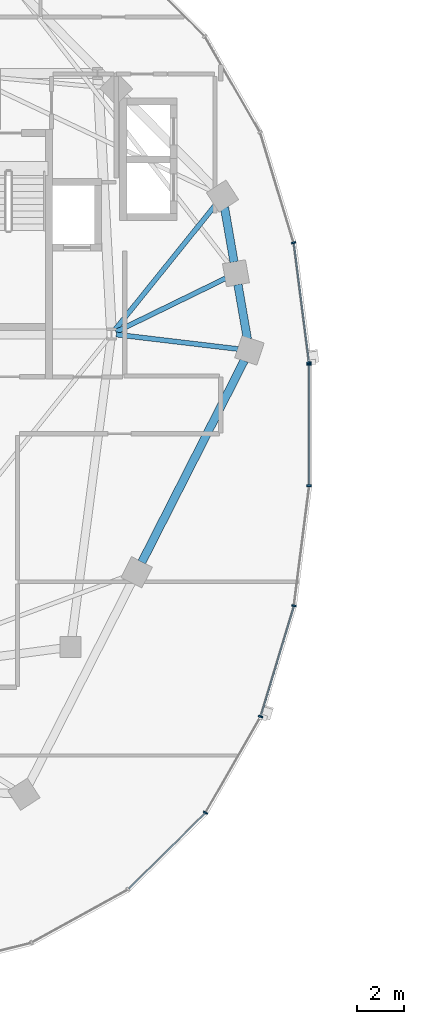
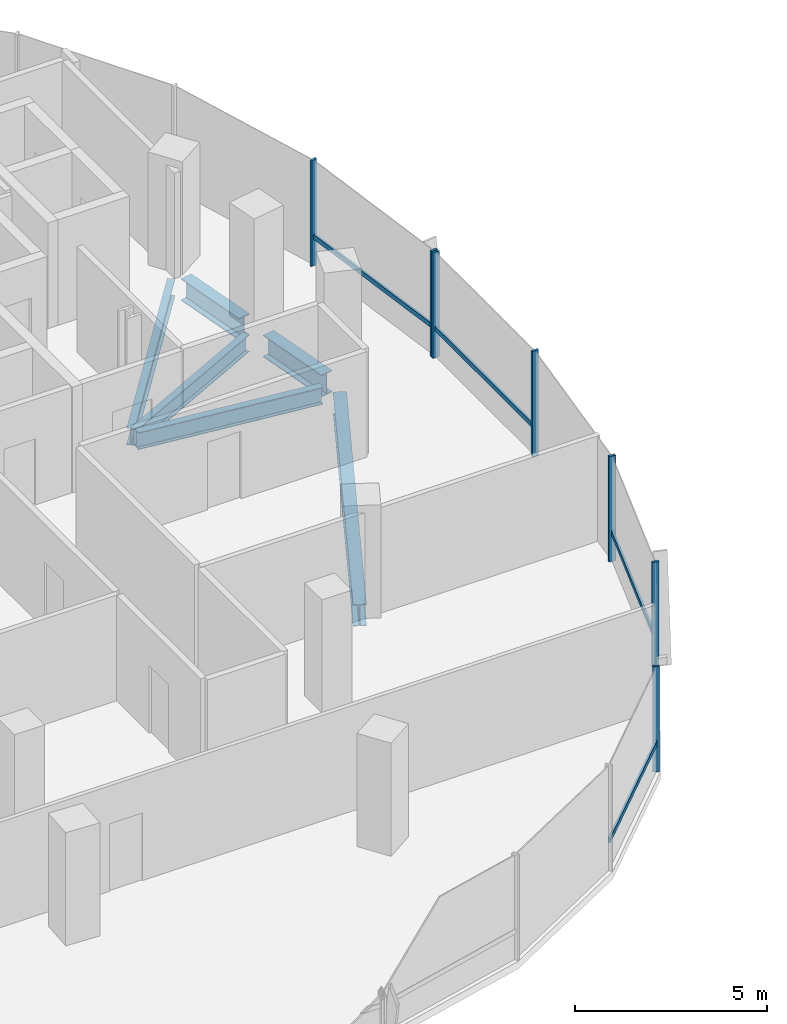
# One storey, part 4 of 23: 11 members, 6 beams, 2 elements without a shape of their own.
"""IFC4 building model written with IfcOpenShell, lengths in metres."""

from ifc_helpers import new_model, si_unit, direction, frame, origin, origin_2d, place, context, subcontext, project, spatial, rectangle, i_section, extrude, material, material_profile, profile_set, type_object, element, aggregate, save


model = new_model("IFC4")

# Units and contexts
model_context = context("Model", 3, precision=1e-05, world=origin(), true_north=direction((0.0, 1.0)))
body_context = subcontext(model_context, "Body", "Model", "MODEL_VIEW")
ifc_project = project(units=[si_unit("LENGTHUNIT", "METRE"), si_unit("AREAUNIT", "SQUARE_METRE"), si_unit("VOLUMEUNIT", "CUBIC_METRE"), si_unit("PLANEANGLEUNIT", "RADIAN"), si_unit("MASSUNIT", "GRAM", prefix="KILO"), si_unit("THERMODYNAMICTEMPERATUREUNIT", "KELVIN"), si_unit("POWERUNIT", "WATT")], contexts=[model_context])

# Site, building, storey
site_placement = place(None, origin())
site = spatial("IfcSite", under=ifc_project, at=site_placement, CompositionType="ELEMENT")
building_placement = place(site_placement, origin())
building = spatial("IfcBuilding", under=site, at=building_placement, Name="Cundina Bronze Exchange", CompositionType="ELEMENT")
storey_placement = place(building_placement, frame((0.0, 0.0, 172.800048828125)))
storey = spatial("IfcBuildingStorey", under=building, at=storey_placement, Name="L45", CompositionType="ELEMENT", Elevation=172.800048828125)

# Beams
ifc_material_1 = material(Name="Steel ASTM A992 Grade 50", Category="steel")
ifc_material_profile_1 = material_profile(ifc_material_1, i_section(OverallWidth=0.2119140625, OverallDepth=0.5439453125, WebThickness=0.01318359375, FlangeThickness=0.021240234375, FilletRadius=0.013916015625, at=origin_2d()), Name="W21X83", Category="steel")
ifc_profile_set_1 = profile_set([ifc_material_profile_1], Name="Steel ASTM A992 Grade 50")
beam_type_1 = type_object("IfcBeamType", Name="BM-FLR-W21A", PredefinedType="BEAM", material=ifc_profile_set_1)
beam_1_placement = place(storey_placement, frame((-21.247314453125, 3.8759765625, -0.511962890625), z_axis=(0.993036158382, -0.11780996624, 0.0), x_axis=(0.11780996624, 0.993036158382, 0.0)))
element("IfcBeam", 1, at=beam_1_placement, inside=storey, type_object=beam_type_1, Name="L45 Leg W Radial Floor Beam 00", PredefinedType="BEAM", context=body_context, shape_type="SweptSolid", body=[
    extrude(i_section(OverallWidth=0.2119140625, OverallDepth=0.5439453125, WebThickness=0.01318359375, FlangeThickness=0.021240234375, FilletRadius=0.013916015625, at=origin_2d()), origin(), (0.0, 0.0, 1.0), 5.249267578125),
])
beam_2_placement = place(storey_placement, frame((-21.2666015625, 3.989501953125, -0.511962890625), z_axis=(0.898604300669, 0.438759969481, 0.0), x_axis=(-0.438759969481, 0.898604300669, 0.0)))
element("IfcBeam", 2, at=beam_2_placement, inside=storey, type_object=beam_type_1, Name="L45 Leg W Radial Floor Beam 01", PredefinedType="BEAM", context=body_context, shape_type="SweptSolid", body=[
    extrude(i_section(OverallWidth=0.2119140625, OverallDepth=0.5439453125, WebThickness=0.01318359375, FlangeThickness=0.021240234375, FilletRadius=0.013916015625, at=origin_2d()), origin(), (0.0, 0.0, 1.0), 5.23388671875),
])
beam_3_placement = place(storey_placement, frame((-21.322021484375, 4.058837890625, -0.511962890625), z_axis=(0.627088684379, 0.778947868553, 0.0), x_axis=(-0.778947868553, 0.627088684379, 0.0)))
element("IfcBeam", 3, at=beam_3_placement, inside=storey, type_object=beam_type_1, Name="L45 Leg W Radial Floor Beam 02", PredefinedType="BEAM", context=body_context, shape_type="SweptSolid", body=[
    extrude(i_section(OverallWidth=0.2119140625, OverallDepth=0.5439453125, WebThickness=0.01318359375, FlangeThickness=0.021240234375, FilletRadius=0.013916015625, at=origin_2d()), origin(), (0.0, 0.0, 1.0), 6.882568359375),
])
ifc_material_profile_2 = material_profile(ifc_material_1, i_section(OverallWidth=0.35498046875, OverallDepth=0.695068359375, WebThickness=0.015380859375, FlangeThickness=0.02490234375, FilletRadius=0.01806640625, at=origin_2d()), Name="W27X146", Category="steel")
ifc_profile_set_2 = profile_set([ifc_material_profile_2], Name="Steel ASTM A992 Grade 50")
beam_type_2 = type_object("IfcBeamType", Name="BM-RING-W27", PredefinedType="USERDEFINED", material=ifc_profile_set_2)
for number, where, z_axis, x_axis, name in (
    (4, (-15.6337890625, 3.680908203125, -0.587646484375), (-0.171666718895, 0.985155083032, 0.0), (-0.985155083032, -0.171666718895, 0.0), "L45 W Perimeter Ring Girder 00"),
    (5, (-16.208740234375, 6.980712890625, -0.587646484375), (-0.171666718895, 0.985155083032, 0.0), (-0.985155083032, -0.171666718895, 0.0), "L45 W Perimeter Ring Girder 01"),
):
    element("IfcBeam", number, at=place(storey_placement, frame(where, z_axis=z_axis, x_axis=x_axis)), inside=storey, type_object=beam_type_2, Name=name, ObjectType="GIRDER", PredefinedType="USERDEFINED", context=body_context, shape_type="SweptSolid", body=[
        extrude(i_section(OverallWidth=0.35498046875, OverallDepth=0.695068359375, WebThickness=0.015380859375, FlangeThickness=0.02490234375, FilletRadius=0.01806640625, at=origin_2d()), origin(), (0.0, 0.0, 1.0), 2.37353515625),
    ])
beam_4_placement = place(storey_placement, frame((-20.154052734375, -5.864990234375, -0.587646484375), z_axis=(0.452834585354, 0.891594548159, 0.0), x_axis=(-0.891594548159, 0.452834585354, 0.0)))
element("IfcBeam", 6, at=beam_4_placement, inside=storey, type_object=beam_type_2, Name="L45 W Perimeter Ring Girder 13", ObjectType="GIRDER", PredefinedType="USERDEFINED", context=body_context, shape_type="SweptSolid", body=[
    extrude(i_section(OverallWidth=0.35498046875, OverallDepth=0.695068359375, WebThickness=0.015380859375, FlangeThickness=0.02490234375, FilletRadius=0.01806640625, at=origin_2d()), origin(), (0.0, 0.0, 1.0), 9.67919921875),
])

# Curtain wall, members
ifc_material_2 = material(Name="Anodised Bronze Aluminium 6063-T6", Category="aluminium")
curtain_wall_type = type_object("IfcCurtainWallType", Name="CWS-WST-PIN", PredefinedType="NOTDEFINED", material=ifc_material_2)
curtain_wall_1_placement = place(storey_placement, origin())
curtain_wall_1 = element("IfcCurtainWall", 7, at=curtain_wall_1_placement, inside=storey, type_object=curtain_wall_type, Name="L45 CW-04 Curtain Wall Run CWR-L45-W1", PredefinedType="NOTDEFINED")
ifc_material_profile_3 = material_profile(ifc_material_2, rectangle(XDim=0.070068359375, YDim=0.18994140625, at=origin_2d()), Name="AL70X190", Category="aluminium")
ifc_profile_set_3 = profile_set([ifc_material_profile_3], Name="Anodised Bronze Aluminium 6063-T6")
member_type_1 = type_object("IfcMemberType", Name="CWM-MUL-190", PredefinedType="MULLION", material=ifc_profile_set_3)
member_1_placement = place(storey_placement, frame((-12.998291015625, 2.676025390625, 0.0), z_axis=(0.0, 0.0, 1.0), x_axis=(-0.126545236492, 0.991960837494, 0.0)))
member_1 = element("IfcMember", 8, at=member_1_placement, type_object=member_type_1, Name="CW-04 Mullion 1", PredefinedType="MULLION", context=body_context, shape_type="SweptSolid", body=[
    extrude(rectangle(XDim=0.070068359375, YDim=0.18994140625, at=origin_2d()), origin(), (0.0, 0.0, 1.0), 3.35986328125),
])
member_2_placement = place(storey_placement, frame((-13.6591796875, 7.80859375, 0.0), z_axis=(0.0, 0.0, 1.0), x_axis=(-0.290034140915, 0.957016299288, 0.0)))
member_2 = element("IfcMember", 9, at=member_2_placement, type_object=member_type_1, Name="CW-04 Mullion 2", PredefinedType="MULLION", context=body_context, shape_type="SweptSolid", body=[
    extrude(rectangle(XDim=0.070068359375, YDim=0.18994140625, at=origin_2d()), origin(), (0.0, 0.0, 1.0), 3.35986328125),
])

curtain_wall_2_placement = place(storey_placement, origin())
curtain_wall_2 = element("IfcCurtainWall", 10, at=curtain_wall_2_placement, inside=storey, type_object=curtain_wall_type, Name="L45 CW-04 Curtain Wall Run CWR-L45-W4", PredefinedType="NOTDEFINED")
member_3_placement = place(storey_placement, frame((-17.42919921875, -16.588134765625, 0.0), z_axis=(0.0, 0.0, 1.0), x_axis=(0.498487739754, 0.866896748936, 0.0)))
member_3 = element("IfcMember", 11, at=member_3_placement, type_object=member_type_1, Name="CW-04 Mullion 4", PredefinedType="MULLION", context=body_context, shape_type="SweptSolid", body=[
    extrude(rectangle(XDim=0.070068359375, YDim=0.18994140625, at=origin_2d()), origin(), (0.0, 0.0, 1.0), 3.35986328125),
])
member_4_placement = place(storey_placement, frame((-15.07373046875, -12.4755859375, 0.0), z_axis=(0.0, 0.0, 1.0), x_axis=(0.290034140915, 0.957016299288, 0.0)))
member_4 = element("IfcMember", 12, at=member_4_placement, type_object=member_type_1, Name="CW-04 Mullion 5", PredefinedType="MULLION", context=body_context, shape_type="SweptSolid", body=[
    extrude(rectangle(XDim=0.070068359375, YDim=0.18994140625, at=origin_2d()), origin(), (0.0, 0.0, 1.0), 3.35986328125),
])
member_5_placement = place(storey_placement, frame((-13.642822265625, -7.731689453125, 0.0), z_axis=(0.0, 0.0, 1.0), x_axis=(0.126545236492, 0.991960837494, 0.0)))
member_5 = element("IfcMember", 13, at=member_5_placement, type_object=member_type_1, Name="CW-04 Mullion 6", PredefinedType="MULLION", context=body_context, shape_type="SweptSolid", body=[
    extrude(rectangle(XDim=0.070068359375, YDim=0.18994140625, at=origin_2d()), origin(), (0.0, 0.0, 1.0), 3.35986328125),
])
member_6_placement = place(storey_placement, frame((-12.992919921875, -2.593017578125, 0.0), z_axis=(0.0, 0.0, 1.0), x_axis=(0.0, 1.0, 0.0)))
member_6 = element("IfcMember", 14, at=member_6_placement, type_object=member_type_1, Name="CW-04 Mullion 7", PredefinedType="MULLION", context=body_context, shape_type="SweptSolid", body=[
    extrude(rectangle(XDim=0.070068359375, YDim=0.18994140625, at=origin_2d()), origin(), (0.0, 0.0, 1.0), 3.35986328125),
])
member_7_placement = place(storey_placement, frame((-12.992919921875, 2.593017578125, 0.0), z_axis=(0.0, 0.0, 1.0), x_axis=(0.0, 1.0, 0.0)))
member_7 = element("IfcMember", 15, at=member_7_placement, type_object=member_type_1, Name="CW-04 End Mullion", PredefinedType="MULLION", context=body_context, shape_type="SweptSolid", body=[
    extrude(rectangle(XDim=0.070068359375, YDim=0.18994140625, at=origin_2d()), origin(), (0.0, 0.0, 1.0), 3.35986328125),
])

# Member
ifc_material_profile_4 = material_profile(ifc_material_2, rectangle(XDim=0.06494140625, YDim=0.14990234375, at=origin_2d()), Name="AL65X150", Category="aluminium")
ifc_profile_set_4 = profile_set([ifc_material_profile_4], Name="Anodised Bronze Aluminium 6063-T6")
member_type_2 = type_object("IfcMemberType", Name="CWM-TRN-150", PredefinedType="USERDEFINED", material=ifc_profile_set_4)
member_8_placement = place(storey_placement, frame((-13.003173828125, 2.71435546875, 0.919921875), z_axis=(-0.12646340362, 0.991971273548, 0.0), x_axis=(-0.991971273548, -0.12646340362, 0.0)))
member_8 = element("IfcMember", 16, at=member_8_placement, type_object=member_type_2, Name="CW-04 Spandrel Transom 1", ObjectType="TRANSOM", PredefinedType="USERDEFINED", context=body_context, shape_type="SweptSolid", body=[
    extrude(rectangle(XDim=0.06494140625, YDim=0.14990234375, at=origin_2d()), origin(), (0.0, 0.0, 1.0), 5.0966796875),
])

aggregate(curtain_wall_1, [member_1, member_8, member_2])

member_9_placement = place(storey_placement, frame((-20.71337890625, -19.839599609375, 0.919921875), z_axis=(0.712005023839, 0.702174370102, 0.0), x_axis=(-0.702174370102, 0.712005023839, 0.0)))
member_9 = element("IfcMember", 17, at=member_9_placement, type_object=member_type_2, Name="CW-04 Spandrel Transom 3", ObjectType="TRANSOM", PredefinedType="USERDEFINED", context=body_context, shape_type="SweptSolid", body=[
    extrude(rectangle(XDim=0.06494140625, YDim=0.14990234375, at=origin_2d()), origin(), (0.0, 0.0, 1.0), 4.594482421875),
])

member_10_placement = place(storey_placement, frame((-15.062744140625, -12.43896484375, 0.919921875), z_axis=(0.290051855969, 0.957010930371, 0.0), x_axis=(-0.957010930371, 0.290051855969, 0.0)))
member_10 = element("IfcMember", 18, at=member_10_placement, type_object=member_type_2, Name="CW-04 Spandrel Transom 5", ObjectType="TRANSOM", PredefinedType="USERDEFINED", context=body_context, shape_type="SweptSolid", body=[
    extrude(rectangle(XDim=0.06494140625, YDim=0.14990234375, at=origin_2d()), origin(), (0.0, 0.0, 1.0), 4.876953125),
])

member_11_placement = place(storey_placement, frame((-12.992919921875, -2.554443359375, 0.919921875), z_axis=(0.0, 1.0, 0.0), x_axis=(-1.0, 0.0, 0.0)))
member_11 = element("IfcMember", 19, at=member_11_placement, type_object=member_type_2, Name="CW-04 Spandrel Transom 7", ObjectType="TRANSOM", PredefinedType="USERDEFINED", context=body_context, shape_type="SweptSolid", body=[
    extrude(rectangle(XDim=0.06494140625, YDim=0.14990234375, at=origin_2d()), origin(), (0.0, 0.0, 1.0), 5.10888671875),
])

aggregate(curtain_wall_2, [member_9, member_3, member_4, member_10, member_5, member_6, member_7, member_11])

save(model, "model.ifc")
